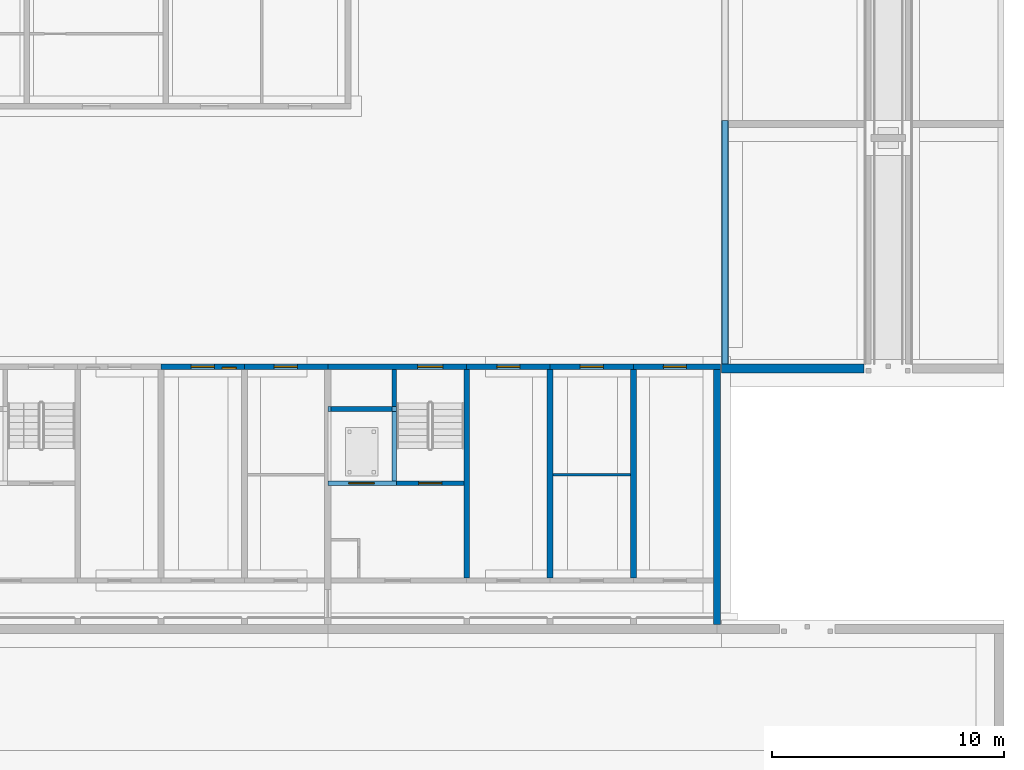
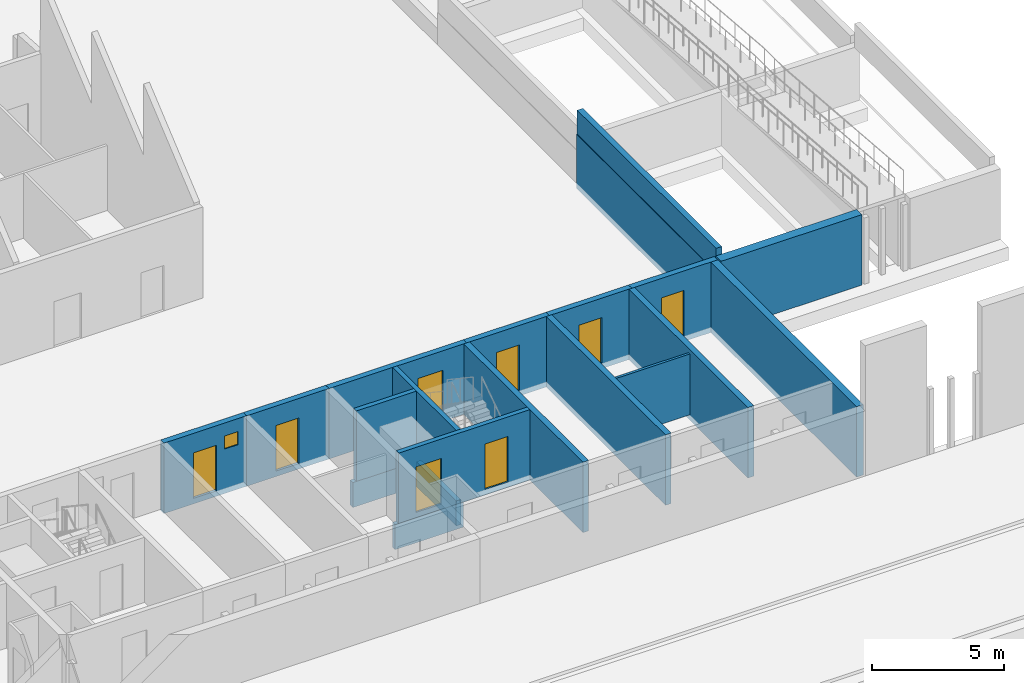
# One storey, part 61 of 112: 20 walls, 8 doors, 1 window, 9 openings.
"""IFC4 building model written with IfcOpenShell, lengths in metres."""

from ifc_helpers import new_model, si_unit, direction, frame, frame_2d, origin, place, context, subcontext, project, spatial, rectangle, extrude, material, layer, layer_set, type_object, element, fill, save


model = new_model("IFC4")

# Units and contexts
model_context = context("Model", 3, precision=1e-05, world=origin(), true_north=direction((0.0, 1.0)))
body_context = subcontext(model_context, "Body", "Model", "MODEL_VIEW")
ifc_project = project(units=[si_unit("LENGTHUNIT", "METRE"), si_unit("AREAUNIT", "SQUARE_METRE"), si_unit("VOLUMEUNIT", "CUBIC_METRE"), si_unit("PLANEANGLEUNIT", "RADIAN"), si_unit("MASSUNIT", "GRAM", prefix="KILO")], contexts=[model_context])

# Site, building, storey
site_placement = place(None, origin())
site = spatial("IfcSite", under=ifc_project, at=site_placement, CompositionType="ELEMENT")
building_placement = place(site_placement, origin())
building = spatial("IfcBuilding", under=site, at=building_placement, Name="Ridgestep Commons", CompositionType="ELEMENT")
storey_placement = place(building_placement, origin())
storey = spatial("IfcBuildingStorey", under=building, at=storey_placement, Name="L00", CompositionType="ELEMENT", Elevation=0.0)

# Walls
ifc_material_1 = material(Name="Concrete C30/37", Category="concrete")
ifc_layer_1 = layer(ifc_material_1, 0.300048828125)
ifc_layer_set_1 = layer_set([ifc_layer_1], Name="Community retaining wall 300")
wall_type_1 = type_object("IfcWallType", Name="Community retaining wall 300", PredefinedType="SOLIDWALL", material=ifc_layer_set_1)
wall_1_placement = place(storey_placement, frame((247.949951171875, 23.0, -0.25), z_axis=(0.0, 0.0, 1.0), x_axis=(0.0, 1.0, 0.0)))
element("IfcWall", 1, at=wall_1_placement, inside=storey, type_object=wall_type_1, Name="Bank retaining wall", PredefinedType="SOLIDWALL", context=body_context, shape_type="SweptSolid", body=[
    extrude(rectangle(XDim=10.5, YDim=0.300048828125, at=frame_2d((5.25, 0.0))), origin(), (0.0, 0.0, 1.0), 2.5),
])
ifc_material_2 = material(Name="Concrete C30/37", Category="concrete")
ifc_layer_2 = layer(ifc_material_2, 0.39990234375)
ifc_layer_set_2 = layer_set([ifc_layer_2], Name="Community retaining wall 400")
wall_type_2 = type_object("IfcWallType", Name="Community retaining wall 400", PredefinedType="SOLIDWALL", material=ifc_layer_set_2)
wall_2_placement = place(storey_placement, frame((247.800048828125, 22.800048828125, -0.25), z_axis=(0.0, 0.0, 1.0), x_axis=(1.0, 0.0, 0.0)))
element("IfcWall", 2, at=wall_2_placement, inside=storey, type_object=wall_type_2, Name="Community retaining wall 400", PredefinedType="SOLIDWALL", context=body_context, shape_type="SweptSolid", body=[
    extrude(rectangle(XDim=6.14990234375, YDim=0.39990234375, at=frame_2d((3.074951171875, 0.0))), origin(), (0.0, 0.0, 1.0), 3.25),
])
ifc_material_3 = material(Name="Precast concrete C40/50", Category="concrete")
ifc_layer_3 = layer(ifc_material_3, 0.25)
ifc_layer_set_3 = layer_set([ifc_layer_3], Name="Community terrace parapet 250")
wall_type_3 = type_object("IfcWallType", Name="Community terrace parapet 250", PredefinedType="PARAPET", material=ifc_layer_set_3)
wall_3_placement = place(storey_placement, frame((247.949951171875, 23.0, 2.25), z_axis=(0.0, 0.0, 1.0), x_axis=(0.0, 1.0, 0.0)))
element("IfcWall", 3, at=wall_3_placement, inside=storey, type_object=wall_type_3, Name="Terrace parapet", PredefinedType="PARAPET", context=body_context, shape_type="SweptSolid", body=[
    extrude(rectangle(XDim=10.5, YDim=0.25, at=frame_2d((5.25, 0.0))), origin(), (0.0, 0.0, 1.0), 1.10009765625),
])
ifc_material_4 = material(Name="Concrete C30/37", Category="concrete")
ifc_layer_4 = layer(ifc_material_4, 0.25)
ifc_layer_set_4 = layer_set([ifc_layer_4], Name="Core cross wall 250")
wall_type_4 = type_object("IfcWallType", Name="Core cross wall 250", PredefinedType="SHEAR", material=ifc_layer_set_4)
wall_4_placement = place(storey_placement, frame((236.800048828125, 13.75, -0.25), z_axis=(0.0, 0.0, 1.0), x_axis=(0.0, 1.0, 0.0)))
element("IfcWall", 4, at=wall_4_placement, inside=storey, type_object=wall_type_4, Name="Cross wall D-00-2368", PredefinedType="SHEAR", context=body_context, shape_type="SweptSolid", body=[
    extrude(rectangle(XDim=9.0, YDim=0.25, at=frame_2d((4.5, 0.0))), origin(), (0.0, 0.0, 1.0), 3.25),
])

# Wall, openings, doors
ifc_material_5 = material(Name="Concrete C30/37", Category="concrete")
ifc_layer_5 = layer(ifc_material_5, 0.199951171875)
ifc_layer_set_5 = layer_set([ifc_layer_5], Name="Core wall 200")
wall_type_5 = type_object("IfcWallType", Name="Core wall 200", PredefinedType="SHEAR", material=ifc_layer_set_5)
wall_5_placement = place(storey_placement, frame((230.949951171875, 17.85009765625, -0.25), z_axis=(0.0, 0.0, 1.0), x_axis=(1.0, 0.0, 0.0)))
wall_5 = element("IfcWall", 5, at=wall_5_placement, inside=storey, type_object=wall_type_5, Name="Core lobby wall D6C L00", PredefinedType="SHEAR", context=body_context, shape_type="SweptSolid", body=[
    extrude(rectangle(XDim=5.72509765625, YDim=0.199951171875, at=frame_2d((2.862548828125, 0.0))), origin(), (0.0, 0.0, 1.0), 3.25),
])
opening_1_placement = place(wall_5_placement, frame((3.77490234375, 0.0, 0.25)))
opening_1 = element("IfcOpeningElement", 6, at=opening_1_placement, cuts=wall_5, Name="Opening D6C/00/2", PredefinedType="OPENING", context=body_context, shape_type="SweptSolid", body=[
    extrude(rectangle(XDim=1.0, YDim=2.10009765625, at=frame_2d((0.5, 1.050048828125))), frame((0.0, 0.10986328125, 0.0), z_axis=(0.0, -1.0, 0.0), x_axis=(1.0, 0.0, 0.0)), (0.0, 0.0, 1.0), 0.219970703125),
])
opening_2_placement = place(wall_5_placement, frame((0.762451171875, 0.0, 0.25)))
opening_2 = element("IfcOpeningElement", 7, at=opening_2_placement, cuts=wall_5, Name="Opening D6C/00/3", PredefinedType="OPENING", context=body_context, shape_type="SweptSolid", body=[
    extrude(rectangle(XDim=1.10009765625, YDim=2.10009765625, at=frame_2d((0.550048828125, 1.050048828125))), frame((0.0, 0.10986328125, 0.0), z_axis=(0.0, -1.0, 0.0), x_axis=(1.0, 0.0, 0.0)), (0.0, 0.0, 1.0), 0.219970703125),
])
ifc_material_6 = material(Name="Stainless steel", Category="steel")
door_type_1 = type_object("IfcDoorType", Name="Lift landing door 1100 x 2100 FD60", OperationType="DOUBLE_DOOR_SLIDING", PredefinedType="DOOR", material=ifc_material_6)
door_1_placement = place(opening_2_placement, origin())
door_1 = element("IfcDoor", 8, at=door_1_placement, inside=storey, type_object=door_type_1, Name="Landing door LD D6C L00", OperationType="DOUBLE_DOOR_SLIDING", OverallHeight=2.10009765625, OverallWidth=1.10009765625, PredefinedType="DOOR", context=body_context, shape_type="SweptSolid", body=[
    extrude(rectangle(XDim=1.10009765625, YDim=2.10009765625, at=frame_2d((0.550048828125, 1.050048828125))), frame((0.0, 0.02490234375, 0.0), z_axis=(0.0, -1.0, 0.0), x_axis=(1.0, 0.0, 0.0)), (0.0, 0.0, 1.0), 0.050048828125),
])
fill(opening_2, door_1)
ifc_material_7 = material(Name="Steel fire door", Category="steel")
door_type_2 = type_object("IfcDoorType", Name="Stair door 1000 x 2100 FD60", OperationType="NOTDEFINED", PredefinedType="DOOR", material=ifc_material_7)
door_2_placement = place(opening_1_placement, origin())
door_2 = element("IfcDoor", 9, at=door_2_placement, inside=storey, type_object=door_type_2, Name="Stair door D6C/00/2", OperationType="SINGLE_SWING_RIGHT", OverallHeight=2.10009765625, OverallWidth=1.0, PredefinedType="DOOR", context=body_context, shape_type="SweptSolid", body=[
    extrude(rectangle(XDim=1.0, YDim=2.10009765625, at=frame_2d((0.5, 1.050048828125))), frame((0.0, 0.02490234375, 0.0), z_axis=(0.0, -1.0, 0.0), x_axis=(1.0, 0.0, 0.0)), (0.0, 0.0, 1.0), 0.050048828125),
])
fill(opening_1, door_2)

# Walls
wall_6_placement = place(storey_placement, frame((233.675048828125, 17.949951171875, -0.25), z_axis=(0.0, 0.0, 1.0), x_axis=(0.0, 1.0, 0.0)))
element("IfcWall", 10, at=wall_6_placement, inside=storey, type_object=wall_type_5, Name="Core stair wall D6C L00", PredefinedType="SHEAR", context=body_context, shape_type="SweptSolid", body=[
    extrude(rectangle(XDim=4.800048828125, YDim=0.199951171875, at=frame_2d((2.39990234375, 0.0))), origin(), (0.0, 0.0, 1.0), 3.25),
])
wall_7_placement = place(storey_placement, frame((230.949951171875, 21.050048828125, -0.25), z_axis=(0.0, 0.0, 1.0), x_axis=(1.0, 0.0, 0.0)))
element("IfcWall", 11, at=wall_7_placement, inside=storey, type_object=wall_type_5, Name="Core duct wall D6C L00", PredefinedType="SHEAR", context=body_context, shape_type="SweptSolid", body=[
    extrude(rectangle(XDim=2.625, YDim=0.199951171875, at=frame_2d((1.3125, 0.0))), origin(), (0.0, 0.0, 1.0), 3.25),
])
for number, where, z_axis, x_axis, name in (
    (12, (230.800048828125, 17.85009765625, -1.39990234375), (0.0, 0.0, 1.0), (1.0, 0.0, 0.0), "Lift pit wall D6C"),
    (13, (230.800048828125, 21.050048828125, -1.39990234375), (0.0, 0.0, 1.0), (1.0, 0.0, 0.0), "Lift pit wall D6C"),
):
    element("IfcWall", number, at=place(storey_placement, frame(where, z_axis=z_axis, x_axis=x_axis)), inside=storey, type_object=wall_type_5, Name=name, PredefinedType="SHEAR", context=body_context, shape_type="SweptSolid", body=[
        extrude(rectangle(XDim=2.974853515625, YDim=0.199951171875, at=frame_2d((1.4873046875, 0.0))), origin(), (0.0, 0.0, 1.0), 1.14990234375),
    ])
wall_8_placement = place(storey_placement, frame((233.675048828125, 17.949951171875, -1.39990234375), z_axis=(0.0, 0.0, 1.0), x_axis=(0.0, 1.0, 0.0)))
element("IfcWall", 14, at=wall_8_placement, inside=storey, type_object=wall_type_5, Name="Lift pit wall D6C", PredefinedType="SHEAR", context=body_context, shape_type="SweptSolid", body=[
    extrude(rectangle(XDim=3.0, YDim=0.199951171875, at=frame_2d((1.5, 0.0))), origin(), (0.0, 0.0, 1.0), 1.14990234375),
])
ifc_material_8 = material(Name="Precast concrete C40/50", Category="concrete")
ifc_layer_6 = layer(ifc_material_8, 0.25)
ifc_layer_set_6 = layer_set([ifc_layer_6], Name="Cross wall 250")
wall_type_6 = type_object("IfcWallType", Name="Cross wall 250", PredefinedType="SHEAR", material=ifc_layer_set_6)
for number, where, z_axis, x_axis, name in (
    (15, (240.39990234375, 13.75, -0.25), (0.0, 0.0, 1.0), (0.0, 1.0, 0.0), "Cross wall D-00-2404"),
    (16, (244.0, 13.75, -0.25), (0.0, 0.0, 1.0), (0.0, 1.0, 0.0), "Cross wall D-00-2440"),
):
    element("IfcWall", number, at=place(storey_placement, frame(where, z_axis=z_axis, x_axis=x_axis)), inside=storey, type_object=wall_type_6, Name=name, PredefinedType="SHEAR", context=body_context, shape_type="SweptSolid", body=[
        extrude(rectangle(XDim=9.0, YDim=0.25, at=frame_2d((4.5, 0.0))), origin(), (0.0, 0.0, 1.0), 3.25),
    ])
ifc_material_9 = material(Name="Precast concrete C40/50", Category="concrete")
ifc_layer_7 = layer(ifc_material_9, 0.300048828125)
ifc_layer_set_7 = layer_set([ifc_layer_7], Name="Exposed division wall 300")
wall_type_7 = type_object("IfcWallType", Name="Exposed division wall 300", PredefinedType="SHEAR", material=ifc_layer_set_7)
wall_9_placement = place(storey_placement, frame((247.60009765625, 11.75, -0.25), z_axis=(0.0, 0.0, 1.0), x_axis=(0.0, 1.0, 0.0)))
element("IfcWall", 17, at=wall_9_placement, inside=storey, type_object=wall_type_7, Name="Cross wall D-00-2476", PredefinedType="SHEAR", context=body_context, shape_type="SweptSolid", body=[
    extrude(rectangle(XDim=11.0, YDim=0.300048828125, at=frame_2d((5.5, 0.0))), origin(), (0.0, 0.0, 1.0), 3.25),
])

# Wall, openings, door, window
ifc_material_10 = material(Name="Precast concrete C40/50", Category="concrete")
ifc_layer_8 = layer(ifc_material_10, 0.25)
ifc_layer_set_8 = layer_set([ifc_layer_8], Name="North facade panel 250")
wall_type_8 = type_object("IfcWallType", Name="North facade panel 250", PredefinedType="SOLIDWALL", material=ifc_layer_set_8)
wall_10_placement = place(storey_placement, frame((223.60009765625, 22.875, -0.25), z_axis=(0.0, 0.0, 1.0), x_axis=(1.0, 0.0, 0.0)))
wall_10 = element("IfcWall", 18, at=wall_10_placement, inside=storey, type_object=wall_type_8, Name="North panel D5T2 L00", PredefinedType="SOLIDWALL", context=body_context, shape_type="SweptSolid", body=[
    extrude(rectangle(XDim=3.599853515625, YDim=0.25, at=frame_2d((1.7998046875, 0.0))), origin(), (0.0, 0.0, 1.0), 3.25),
])
opening_3_placement = place(wall_10_placement, frame((2.637451171875, 0.0, 2.050048828125)))
opening_3 = element("IfcOpeningElement", 19, at=opening_3_placement, cuts=wall_10, Name="Opening W01", PredefinedType="OPENING", context=body_context, shape_type="SweptSolid", body=[
    extrude(rectangle(XDim=0.60009765625, YDim=0.60009765625, at=frame_2d((0.300048828125, 0.300048828125))), frame((0.0, 0.135009765625, 0.0), z_axis=(0.0, -1.0, 0.0), x_axis=(1.0, 0.0, 0.0)), (0.0, 0.0, 1.0), 0.27001953125),
])
opening_4_placement = place(wall_10_placement, frame((1.300048828125, 0.0, 0.25)))
opening_4 = element("IfcOpeningElement", 20, at=opening_4_placement, cuts=wall_10, Name="Opening D5-00p/4", PredefinedType="OPENING", context=body_context, shape_type="SweptSolid", body=[
    extrude(rectangle(XDim=1.0, YDim=2.10009765625, at=frame_2d((0.5, 1.050048828125))), frame((0.0, 0.135009765625, 0.0), z_axis=(0.0, -1.0, 0.0), x_axis=(1.0, 0.0, 0.0)), (0.0, 0.0, 1.0), 0.27001953125),
])
ifc_material_11 = material(Name="Steel door leaf", Category="steel")
door_type_3 = type_object("IfcDoorType", Name="Exterior door 1000 x 2100", OperationType="NOTDEFINED", PredefinedType="DOOR", material=ifc_material_11)
door_3_placement = place(opening_4_placement, origin())
door_3 = element("IfcDoor", 21, at=door_3_placement, inside=storey, type_object=door_type_3, Name="Exterior door D5-00p/4", OperationType="SINGLE_SWING_LEFT", OverallHeight=2.10009765625, OverallWidth=1.0, PredefinedType="DOOR", context=body_context, shape_type="SweptSolid", body=[
    extrude(rectangle(XDim=1.0, YDim=2.10009765625, at=frame_2d((0.5, 1.050048828125))), frame((0.0, 0.02490234375, 0.0), z_axis=(0.0, -1.0, 0.0), x_axis=(1.0, 0.0, 0.0)), (0.0, 0.0, 1.0), 0.050048828125),
])
fill(opening_4, door_3)
ifc_material_12 = material(Name="Aluminium 6063-T6 and glass", Category="aluminium")
window_type = type_object("IfcWindowType", Name="Flat window 600 x 600", PartitioningType="SINGLE_PANEL", PredefinedType="WINDOW", material=ifc_material_12)
window_placement = place(opening_3_placement, origin())
window = element("IfcWindow", 22, at=window_placement, inside=storey, type_object=window_type, Name="Window D5-00p 4", OverallHeight=0.60009765625, OverallWidth=0.60009765625, PartitioningType="SINGLE_PANEL", PredefinedType="WINDOW", context=body_context, shape_type="SweptSolid", body=[
    extrude(rectangle(XDim=0.60009765625, YDim=0.60009765625, at=frame_2d((0.300048828125, 0.300048828125))), frame((0.0, -0.02490234375, 0.0), z_axis=(0.0, -1.0, 0.0), x_axis=(1.0, 0.0, 0.0)), (0.0, 0.0, 1.0), 0.06005859375),
])
fill(opening_3, window)

# Wall, opening, door
wall_11_placement = place(storey_placement, frame((227.199951171875, 22.875, -0.25), z_axis=(0.0, 0.0, 1.0), x_axis=(1.0, 0.0, 0.0)))
wall_11 = element("IfcWall", 23, at=wall_11_placement, inside=storey, type_object=wall_type_8, Name="North panel D5T1 L00", PredefinedType="SOLIDWALL", context=body_context, shape_type="SweptSolid", body=[
    extrude(rectangle(XDim=3.60009765625, YDim=0.25, at=frame_2d((1.800048828125, 0.0))), origin(), (0.0, 0.0, 1.0), 3.25),
])
opening_5_placement = place(wall_11_placement, frame((1.28759765625, 0.0, 0.25)))
opening_5 = element("IfcOpeningElement", 24, at=opening_5_placement, cuts=wall_11, Name="Opening D5-00p/6", PredefinedType="OPENING", context=body_context, shape_type="SweptSolid", body=[
    extrude(rectangle(XDim=1.0, YDim=2.10009765625, at=frame_2d((0.5, 1.050048828125))), frame((0.0, 0.135009765625, 0.0), z_axis=(0.0, -1.0, 0.0), x_axis=(1.0, 0.0, 0.0)), (0.0, 0.0, 1.0), 0.27001953125),
])
door_4_placement = place(opening_5_placement, origin())
door_4 = element("IfcDoor", 25, at=door_4_placement, inside=storey, type_object=door_type_3, Name="Exterior door D5-00p/6", OperationType="SINGLE_SWING_LEFT", OverallHeight=2.10009765625, OverallWidth=1.0, PredefinedType="DOOR", context=body_context, shape_type="SweptSolid", body=[
    extrude(rectangle(XDim=1.0, YDim=2.10009765625, at=frame_2d((0.5, 1.050048828125))), frame((0.0, 0.02490234375, 0.0), z_axis=(0.0, -1.0, 0.0), x_axis=(1.0, 0.0, 0.0)), (0.0, 0.0, 1.0), 0.050048828125),
])
fill(opening_5, door_4)

wall_12_placement = place(storey_placement, frame((230.800048828125, 22.875, -0.25), z_axis=(0.0, 0.0, 1.0), x_axis=(1.0, 0.0, 0.0)))
wall_12 = element("IfcWall", 26, at=wall_12_placement, inside=storey, type_object=wall_type_8, Name="North panel D6C L00", PredefinedType="SOLIDWALL", context=body_context, shape_type="SweptSolid", body=[
    extrude(rectangle(XDim=6.0, YDim=0.25, at=frame_2d((3.0, 0.0))), origin(), (0.0, 0.0, 1.0), 3.25),
])
opening_6_placement = place(wall_12_placement, frame((3.875, 0.0, 0.25)))
opening_6 = element("IfcOpeningElement", 27, at=opening_6_placement, cuts=wall_12, Name="Opening D6C/00/5", PredefinedType="OPENING", context=body_context, shape_type="SweptSolid", body=[
    extrude(rectangle(XDim=1.10009765625, YDim=2.10009765625, at=frame_2d((0.550048828125, 1.050048828125))), frame((0.0, 0.135009765625, 0.0), z_axis=(0.0, -1.0, 0.0), x_axis=(1.0, 0.0, 0.0)), (0.0, 0.0, 1.0), 0.27001953125),
])
ifc_material_13 = material(Name="Steel fire door", Category="steel")
door_type_4 = type_object("IfcDoorType", Name="Stair exit door 1100 x 2100 FD60", OperationType="NOTDEFINED", PredefinedType="DOOR", material=ifc_material_13)
door_5_placement = place(opening_6_placement, origin())
door_5 = element("IfcDoor", 28, at=door_5_placement, inside=storey, type_object=door_type_4, Name="Stair exit door D6C/00/5", OperationType="SINGLE_SWING_LEFT", OverallHeight=2.10009765625, OverallWidth=1.10009765625, PredefinedType="DOOR", context=body_context, shape_type="SweptSolid", body=[
    extrude(rectangle(XDim=1.10009765625, YDim=2.10009765625, at=frame_2d((0.550048828125, 1.050048828125))), frame((0.0, 0.02490234375, 0.0), z_axis=(0.0, -1.0, 0.0), x_axis=(1.0, 0.0, 0.0)), (0.0, 0.0, 1.0), 0.050048828125),
])
fill(opening_6, door_5)

wall_13_placement = place(storey_placement, frame((236.800048828125, 22.875, -0.25), z_axis=(0.0, 0.0, 1.0), x_axis=(1.0, 0.0, 0.0)))
wall_13 = element("IfcWall", 29, at=wall_13_placement, inside=storey, type_object=wall_type_8, Name="North panel D6T3 L00", PredefinedType="SOLIDWALL", context=body_context, shape_type="SweptSolid", body=[
    extrude(rectangle(XDim=3.599853515625, YDim=0.25, at=frame_2d((1.7998046875, 0.0))), origin(), (0.0, 0.0, 1.0), 3.25),
])
opening_7_placement = place(wall_13_placement, frame((1.300048828125, 0.0, 0.25)))
opening_7 = element("IfcOpeningElement", 30, at=opening_7_placement, cuts=wall_13, Name="Opening D6-00p/2", PredefinedType="OPENING", context=body_context, shape_type="SweptSolid", body=[
    extrude(rectangle(XDim=1.0, YDim=2.10009765625, at=frame_2d((0.5, 1.050048828125))), frame((0.0, 0.135009765625, 0.0), z_axis=(0.0, -1.0, 0.0), x_axis=(1.0, 0.0, 0.0)), (0.0, 0.0, 1.0), 0.27001953125),
])
door_6_placement = place(opening_7_placement, origin())
door_6 = element("IfcDoor", 31, at=door_6_placement, inside=storey, type_object=door_type_3, Name="Exterior door D6-00p/2", OperationType="SINGLE_SWING_LEFT", OverallHeight=2.10009765625, OverallWidth=1.0, PredefinedType="DOOR", context=body_context, shape_type="SweptSolid", body=[
    extrude(rectangle(XDim=1.0, YDim=2.10009765625, at=frame_2d((0.5, 1.050048828125))), frame((0.0, 0.02490234375, 0.0), z_axis=(0.0, -1.0, 0.0), x_axis=(1.0, 0.0, 0.0)), (0.0, 0.0, 1.0), 0.050048828125),
])
fill(opening_7, door_6)

wall_14_placement = place(storey_placement, frame((240.39990234375, 22.875, -0.25), z_axis=(0.0, 0.0, 1.0), x_axis=(1.0, 0.0, 0.0)))
wall_14 = element("IfcWall", 32, at=wall_14_placement, inside=storey, type_object=wall_type_8, Name="North panel D6T2 L00", PredefinedType="SOLIDWALL", context=body_context, shape_type="SweptSolid", body=[
    extrude(rectangle(XDim=3.60009765625, YDim=0.25, at=frame_2d((1.800048828125, 0.0))), origin(), (0.0, 0.0, 1.0), 3.25),
])
opening_8_placement = place(wall_14_placement, frame((1.300048828125, 0.0, 0.25)))
opening_8 = element("IfcOpeningElement", 33, at=opening_8_placement, cuts=wall_14, Name="Opening D6-00p/4", PredefinedType="OPENING", context=body_context, shape_type="SweptSolid", body=[
    extrude(rectangle(XDim=1.0, YDim=2.10009765625, at=frame_2d((0.5, 1.050048828125))), frame((0.0, 0.135009765625, 0.0), z_axis=(0.0, -1.0, 0.0), x_axis=(1.0, 0.0, 0.0)), (0.0, 0.0, 1.0), 0.27001953125),
])
door_7_placement = place(opening_8_placement, origin())
door_7 = element("IfcDoor", 34, at=door_7_placement, inside=storey, type_object=door_type_3, Name="Exterior door D6-00p/4", OperationType="SINGLE_SWING_LEFT", OverallHeight=2.10009765625, OverallWidth=1.0, PredefinedType="DOOR", context=body_context, shape_type="SweptSolid", body=[
    extrude(rectangle(XDim=1.0, YDim=2.10009765625, at=frame_2d((0.5, 1.050048828125))), frame((0.0, 0.02490234375, 0.0), z_axis=(0.0, -1.0, 0.0), x_axis=(1.0, 0.0, 0.0)), (0.0, 0.0, 1.0), 0.050048828125),
])
fill(opening_8, door_7)

wall_15_placement = place(storey_placement, frame((244.0, 22.875, -0.25), z_axis=(0.0, 0.0, 1.0), x_axis=(1.0, 0.0, 0.0)))
wall_15 = element("IfcWall", 35, at=wall_15_placement, inside=storey, type_object=wall_type_8, Name="North panel D6T1 L00", PredefinedType="SOLIDWALL", context=body_context, shape_type="SweptSolid", body=[
    extrude(rectangle(XDim=3.75, YDim=0.25, at=frame_2d((1.875, 0.0))), origin(), (0.0, 0.0, 1.0), 3.25),
])
opening_9_placement = place(wall_15_placement, frame((1.28759765625, 0.0, 0.25)))
opening_9 = element("IfcOpeningElement", 36, at=opening_9_placement, cuts=wall_15, Name="Opening D6-00p/6", PredefinedType="OPENING", context=body_context, shape_type="SweptSolid", body=[
    extrude(rectangle(XDim=1.0, YDim=2.10009765625, at=frame_2d((0.5, 1.050048828125))), frame((0.0, 0.135009765625, 0.0), z_axis=(0.0, -1.0, 0.0), x_axis=(1.0, 0.0, 0.0)), (0.0, 0.0, 1.0), 0.27001953125),
])
door_8_placement = place(opening_9_placement, origin())
door_8 = element("IfcDoor", 37, at=door_8_placement, inside=storey, type_object=door_type_3, Name="Exterior door D6-00p/6", OperationType="SINGLE_SWING_LEFT", OverallHeight=2.10009765625, OverallWidth=1.0, PredefinedType="DOOR", context=body_context, shape_type="SweptSolid", body=[
    extrude(rectangle(XDim=1.0, YDim=2.10009765625, at=frame_2d((0.5, 1.050048828125))), frame((0.0, 0.02490234375, 0.0), z_axis=(0.0, -1.0, 0.0), x_axis=(1.0, 0.0, 0.0)), (0.0, 0.0, 1.0), 0.050048828125),
])
fill(opening_9, door_8)

# Wall
ifc_material_14 = material(Name="Common brick 110 mm", Category="masonry")
ifc_layer_9 = layer(ifc_material_14, 0.110107421875)
ifc_layer_set_9 = layer_set([ifc_layer_9], Name="Partition 110")
wall_type_9 = type_object("IfcWallType", Name="Partition 110", PredefinedType="PARTITIONING", material=ifc_layer_set_9)
wall_16_placement = place(storey_placement, frame((240.52490234375, 18.205078125, 0.0), z_axis=(0.0, 0.0, 1.0), x_axis=(1.0, 0.0, 0.0)))
element("IfcWall", 38, at=wall_16_placement, inside=storey, type_object=wall_type_9, Name="Partition D6-00p", PredefinedType="PARTITIONING", context=body_context, shape_type="SweptSolid", body=[
    extrude(rectangle(XDim=3.35009765625, YDim=0.110107421875, at=frame_2d((1.675048828125, 0.0))), origin(), (0.0, 0.0, 1.0), 2.800048828125),
])

save(model, "model.ifc")
